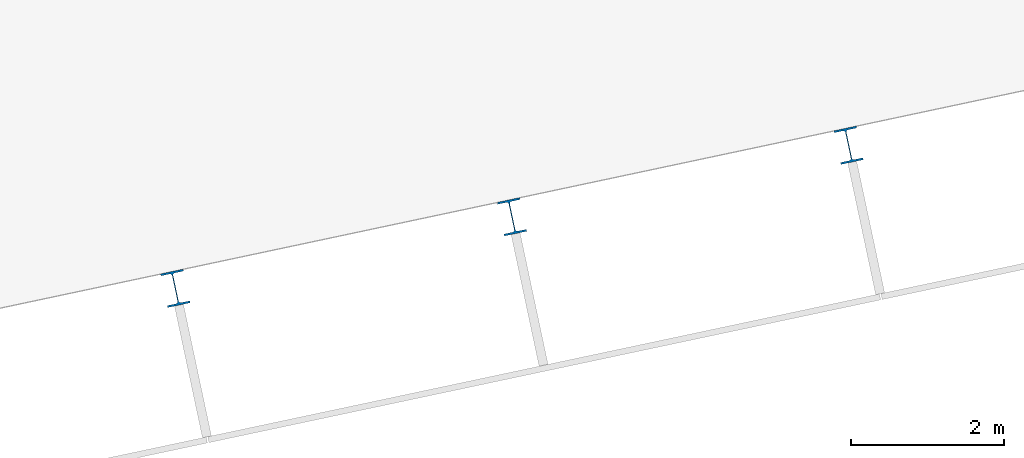
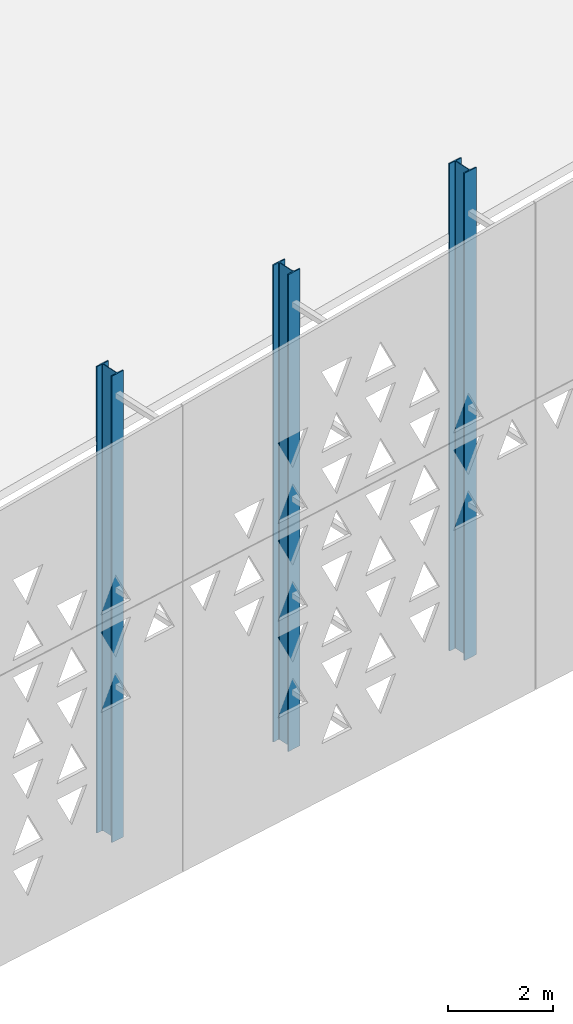
# One storey, part 6 of 41: 3 columns.
"""IFC4 building model written with IfcOpenShell, lengths in metres."""

from ifc_helpers import new_model, si_unit, direction, frame, origin, origin_2d, place, context, subcontext, project, spatial, i_section, extrude, material, material_profile, profile_set, type_object, element, save


model = new_model("IFC4")

# Units and contexts
model_context = context("Model", 3, precision=1e-05, world=origin(), true_north=direction((0.0, 1.0)))
body_context = subcontext(model_context, "Body", "Model", "MODEL_VIEW")
ifc_project = project(units=[si_unit("LENGTHUNIT", "METRE"), si_unit("AREAUNIT", "SQUARE_METRE"), si_unit("VOLUMEUNIT", "CUBIC_METRE"), si_unit("PLANEANGLEUNIT", "RADIAN"), si_unit("MASSUNIT", "GRAM", prefix="KILO")], contexts=[model_context])

# Site, building, storey
site_placement = place(None, origin())
site = spatial("IfcSite", under=ifc_project, at=site_placement, CompositionType="ELEMENT")
building_placement = place(site_placement, origin())
building = spatial("IfcBuilding", under=site, at=building_placement, Name="Okhra Congress Centre", CompositionType="ELEMENT")
storey_placement = place(building_placement, frame((0.0, 0.0, 21.60009765625)))
storey = spatial("IfcBuildingStorey", under=building, at=storey_placement, Name="ROOF", CompositionType="ELEMENT", Elevation=21.60009765625)

# Columns
ifc_material = material(Name="Steel S355J2", Category="steel")
ifc_material_profile = material_profile(ifc_material, i_section(OverallWidth=0.300048828125, OverallDepth=0.449951171875, WebThickness=0.013916015625, FlangeThickness=0.02587890625, FilletRadius=0.027099609375, at=origin_2d()), Name="HE 450 B")
ifc_profile_set = profile_set([ifc_material_profile], Name="Steel S355J2")
column_type = type_object("IfcColumnType", Name="Steel post HE 450 B", PredefinedType="COLUMN", material=ifc_profile_set)
column_1_placement = place(storey_placement, frame((188.6591796875, 53.941650390625, 0.0), z_axis=(0.0, 0.0, 1.0), x_axis=(0.978147600734, 0.207911690818, 0.0)))
element("IfcColumn", 1, at=column_1_placement, inside=storey, type_object=column_type, Name="Screen upstand post S30", PredefinedType="COLUMN", context=body_context, shape_type="SweptSolid", body=[
    extrude(i_section(OverallWidth=0.300048828125, OverallDepth=0.449951171875, WebThickness=0.013916015625, FlangeThickness=0.02587890625, FilletRadius=0.027099609375, at=origin_2d()), origin(), (0.0, 0.0, 1.0), 10.80224609375),
])
column_2_placement = place(storey_placement, frame((193.06103515625, 54.877197265625, 0.0), z_axis=(0.0, 0.0, 1.0), x_axis=(0.978147600734, 0.207911690818, 0.0)))
element("IfcColumn", 2, at=column_2_placement, inside=storey, type_object=column_type, Name="Screen upstand post S31", PredefinedType="COLUMN", context=body_context, shape_type="SweptSolid", body=[
    extrude(i_section(OverallWidth=0.300048828125, OverallDepth=0.449951171875, WebThickness=0.013916015625, FlangeThickness=0.02587890625, FilletRadius=0.027099609375, at=origin_2d()), origin(), (0.0, 0.0, 1.0), 11.04296875),
])
column_3_placement = place(storey_placement, frame((197.462646484375, 55.81298828125, 0.0), z_axis=(0.0, 0.0, 1.0), x_axis=(0.978147600734, 0.207911690818, 0.0)))
element("IfcColumn", 3, at=column_3_placement, inside=storey, type_object=column_type, Name="Screen upstand post S32", PredefinedType="COLUMN", context=body_context, shape_type="SweptSolid", body=[
    extrude(i_section(OverallWidth=0.300048828125, OverallDepth=0.449951171875, WebThickness=0.013916015625, FlangeThickness=0.02587890625, FilletRadius=0.027099609375, at=origin_2d()), origin(), (0.0, 0.0, 1.0), 11.28369140625),
])

save(model, "model.ifc")
